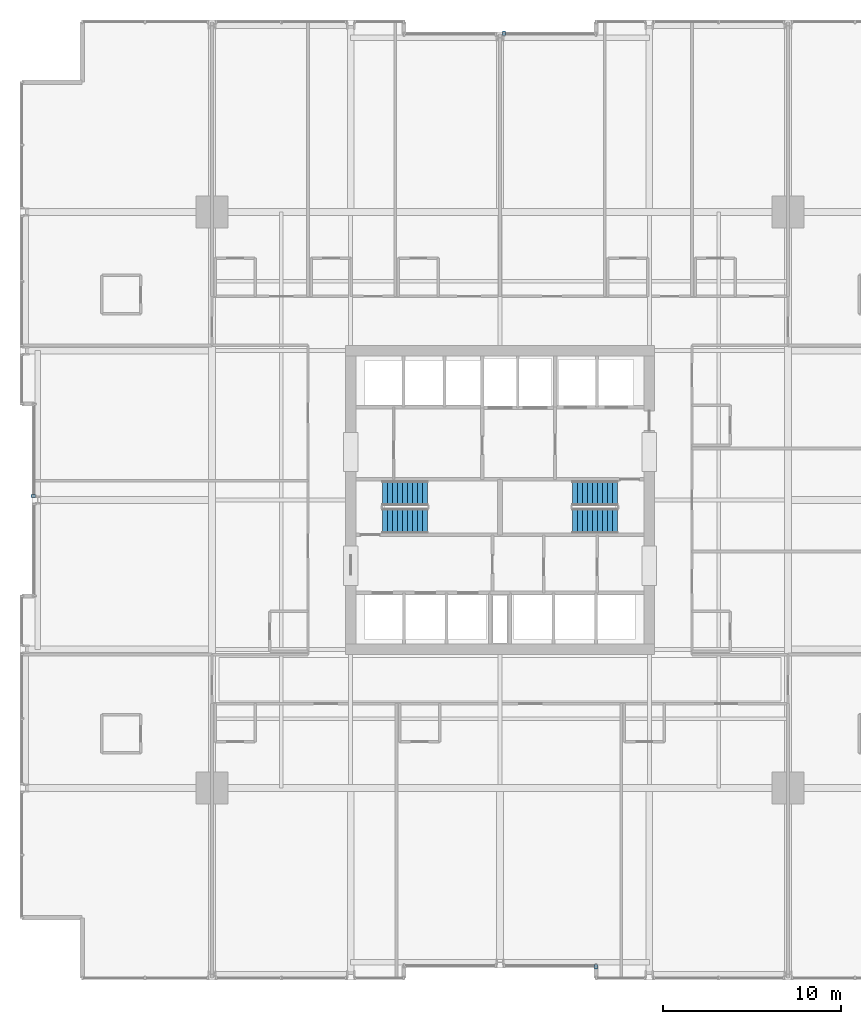
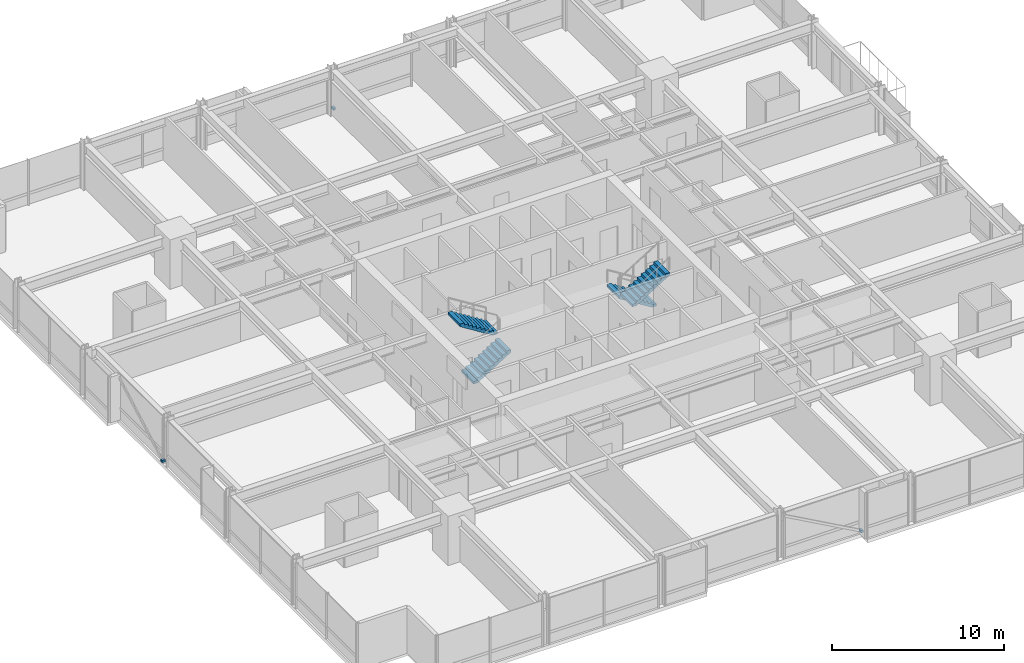
# One storey, part 34 of 38: 4 stair flights, 3 discrete accessories, 2 elements without a shape of their own.
"""IFC4 building model written with IfcOpenShell, lengths in metres."""

import ifcopenshell
import ifcopenshell.guid

model = None  # the IFC model being written
_history = None  # IfcOwnerHistory: only IFC2X3 demands one
_inside = {}  # id of a spatial element -> (the spatial element, [elements in it])
_under = {}  # id of a project, library or spatial element -> (it, [spatial elements below it])
_declared = {}  # id of a project -> (the project, [libraries it declares])
_typed = {}  # id of a type object -> (the type object, [elements of that type])
_made_of = {}  # id of a material, layer set ... -> (it, [elements and type objects made of it])


def new_model(schema):
    """Start an empty IFC model of exactly this schema.

    Asked for "IFC4X3", IfcOpenShell would pick the latest addendum, in which some entities
    have other attributes; the version numbers below select the first issue.
    IFC2X3 requires an IfcOwnerHistory on every rooted entity: one is made here for all.
    """
    global model, _history
    if schema == "IFC4X3":
        model = ifcopenshell.file(schema_version=(4, 3, 0, 0))
    else:
        model = ifcopenshell.file(schema=schema)
    _inside.clear()
    _under.clear()
    _declared.clear()
    _typed.clear()
    _made_of.clear()
    _history = None
    if model.schema == "IFC2X3":
        org = make("IfcOrganization", Name="unknown")
        user = make(
            "IfcPersonAndOrganization",
            ThePerson=make("IfcPerson", FamilyName="unknown"),
            TheOrganization=org,
        )
        app = make(
            "IfcApplication",
            ApplicationDeveloper=org,
            Version="unknown",
            ApplicationFullName="unknown",
            ApplicationIdentifier="unknown",
        )
        _history = make(
            "IfcOwnerHistory",
            OwningUser=user,
            OwningApplication=app,
            ChangeAction="ADDED",
            CreationDate=0,
        )
    return model


def make(cls, **values):
    """One entity of the class cls with the attributes given. An attribute that is None is left unset."""
    return model.create_entity(
        cls, **{name: value for name, value in values.items() if value is not None}
    )


def rooted(cls, **values):
    """An entity with a GlobalId (a new one), such as an element, a storey or a relation."""
    return make(cls, GlobalId=ifcopenshell.guid.new(), OwnerHistory=_history, **values)


def si_unit(unit_type, name, prefix=None):
    """IfcSIUnit, for example si_unit("LENGTHUNIT", "METRE", prefix="MILLI")."""
    return make("IfcSIUnit", UnitType=unit_type, Prefix=prefix, Name=name)


def assignment(units):
    """IfcUnitAssignment: the units of a project."""
    return None if units is None else make("IfcUnitAssignment", Units=units)


def point(xyz):
    """IfcCartesianPoint."""
    return None if xyz is None else make("IfcCartesianPoint", Coordinates=xyz)


def direction(xyz):
    """IfcDirection."""
    return None if xyz is None else make("IfcDirection", DirectionRatios=xyz)


def frame(location, z_axis=None, x_axis=None):
    """IfcAxis2Placement3D, a coordinate frame: its origin and axes. An axis left out is left unset."""
    return make(
        "IfcAxis2Placement3D",
        Location=point(location),
        Axis=direction(z_axis),
        RefDirection=direction(x_axis),
    )


def frame_2d(location, x_axis=None):
    """IfcAxis2Placement2D, a coordinate frame in the plane: its origin and x axis."""
    return make(
        "IfcAxis2Placement2D", Location=point(location), RefDirection=direction(x_axis)
    )


def origin():
    """The frame at (0, 0, 0) with its axes left unset."""
    return frame((0.0, 0.0, 0.0))


def origin_2d():
    """The frame at (0, 0) in the plane with its x axis left unset."""
    return frame_2d((0.0, 0.0))


def place(relative_to, where):
    """IfcLocalPlacement: puts the frame where relative to a parent placement (None: the world)."""
    return make(
        "IfcLocalPlacement", PlacementRelTo=relative_to, RelativePlacement=where
    )


def context(
    kind, dimensions, precision=None, world=None, true_north=None, identifier=None
):
    """IfcGeometricRepresentationContext, for example the 3D "Model" context."""
    return make(
        "IfcGeometricRepresentationContext",
        ContextIdentifier=identifier,
        ContextType=kind,
        CoordinateSpaceDimension=dimensions,
        Precision=precision,
        WorldCoordinateSystem=world,
        TrueNorth=true_north,
    )


def subcontext(parent, identifier, kind, view, scale=None):
    """IfcGeometricRepresentationSubContext, for example "Body" below "Model"."""
    return make(
        "IfcGeometricRepresentationSubContext",
        ContextIdentifier=identifier,
        ContextType=kind,
        ParentContext=parent,
        TargetScale=scale,
        TargetView=view,
    )


def project(units=None, contexts=None):
    """IfcProject with its units and contexts."""
    return rooted(
        "IfcProject",
        Name="project",
        RepresentationContexts=contexts,
        UnitsInContext=assignment(units),
    )


def spatial(cls, under=None, at=None, **own):
    """A site, building, storey or space (cls), placed at a placement, below another one or the project."""
    s = rooted(cls, ObjectPlacement=at, **own)
    if under is not None:
        _under.setdefault(under.id(), (under, []))[1].append(s)
    return s


def polyline(points):
    """IfcPolyline through the points."""
    return make("IfcPolyline", Points=[point(p) for p in points])


def profile(cls, at=None, kind="AREA", **sizes):
    """A parametric profile (cls). Its sizes go by their IFC names, for example OverallWidth=200.0."""
    return make(cls, ProfileType=kind, Position=at, **sizes)


def rectangle(**sizes):
    """IfcRectangleProfileDef."""
    return profile("IfcRectangleProfileDef", **sizes)


def outline(outer, holes=None, kind="AREA"):
    """IfcArbitraryClosedProfileDef: a profile drawn as a closed curve; with holes, ...WithVoids."""
    if holes is None:
        return make("IfcArbitraryClosedProfileDef", ProfileType=kind, OuterCurve=outer)
    return make(
        "IfcArbitraryProfileDefWithVoids",
        ProfileType=kind,
        OuterCurve=outer,
        InnerCurves=holes,
    )


def extrude(swept, where, along, depth):
    """IfcExtrudedAreaSolid: the profile swept, set in the frame where, extruded along a direction by depth."""
    return make(
        "IfcExtrudedAreaSolid",
        SweptArea=swept,
        Position=where,
        ExtrudedDirection=direction(along),
        Depth=depth,
    )


def shape(context_of_items, identifier, shape_type, items):
    """IfcShapeRepresentation: the items that make up one representation, for example the "Body"."""
    return make(
        "IfcShapeRepresentation",
        ContextOfItems=context_of_items,
        RepresentationIdentifier=identifier,
        RepresentationType=shape_type,
        Items=items,
    )


def material(Name=None, Category=None):
    """IfcMaterial."""
    return make("IfcMaterial", Name=Name, Category=Category)


def made_of(thing, what):
    """Note that an element or type object is made of a material, layer set ...; save() writes the relation."""
    if what is not None:
        _made_of.setdefault(what.id(), (what, []))[1].append(thing)
    return thing


def type_object(cls, material=None, **own):
    """A type object (cls), such as IfcWallType, which elements share."""
    return made_of(rooted(cls, **own), material)


def element(
    cls,
    number,
    at=None,
    inside=None,
    cuts=None,
    type_object=None,
    material=None,
    context=None,
    identifier="Body",
    shape_type=None,
    held_by="IfcProductDefinitionShape",
    body=None,
    shapes=None,
    **own,
):
    """One element of the class cls, such as IfcWall. Its Tag is "e" and its number.

    at: its placement. inside: the storey or other place that contains it. cuts: it is an
    opening in that element (IfcRelVoidsElement). A single representation is given by context,
    identifier, shape_type and body (its items); several are given by shapes. held_by: the class
    of the entity that holds the representations. save() writes the other relations.
    """
    e = rooted(cls, Tag="e%d" % number, ObjectPlacement=at, **own)
    if body is not None:
        shapes = [shape(context, identifier, shape_type, body)]
    if shapes is not None:
        e.Representation = make(held_by, Representations=shapes)
    if inside is not None:
        _inside.setdefault(inside.id(), (inside, []))[1].append(e)
    if cuts is not None:
        rooted(
            "IfcRelVoidsElement", RelatingBuildingElement=cuts, RelatedOpeningElement=e
        )
    if type_object is not None:
        _typed.setdefault(type_object.id(), (type_object, []))[1].append(e)
    return made_of(e, material)


def aggregate(whole, parts):
    """IfcRelAggregates: a whole, such as a stair, and the parts it consists of."""
    return rooted("IfcRelAggregates", RelatingObject=whole, RelatedObjects=parts)


def save(model, path):
    """Write the relations noted so far, then the file.

    IfcRelAggregates (storeys below a building ...), IfcRelContainedInSpatialStructure (elements
    in a storey), IfcRelDefinesByType, IfcRelAssociatesMaterial and IfcRelDeclares: one each for
    every whole, place, type object, material and project.
    """
    for whole, parts in _under.values():
        aggregate(whole, parts)
    for where, things in _inside.values():
        rooted(
            "IfcRelContainedInSpatialStructure",
            RelatedElements=things,
            RelatingStructure=where,
        )
    for kind, things in _typed.values():
        rooted("IfcRelDefinesByType", RelatedObjects=things, RelatingType=kind)
    for what, things in _made_of.values():
        rooted("IfcRelAssociatesMaterial", RelatedObjects=things, RelatingMaterial=what)
    for by, libraries in _declared.values():
        rooted("IfcRelDeclares", RelatingContext=by, RelatedDefinitions=libraries)
    model.write(path)


model = new_model("IFC4")

# Units and contexts
model_context = context("Model", 3, precision=1e-05, world=origin(), true_north=direction((0.0, 1.0)))
body_context = subcontext(model_context, "Body", "Model", "MODEL_VIEW")
ifc_project = project(units=[si_unit("LENGTHUNIT", "METRE"), si_unit("AREAUNIT", "SQUARE_METRE"), si_unit("VOLUMEUNIT", "CUBIC_METRE"), si_unit("PLANEANGLEUNIT", "RADIAN"), si_unit("MASSUNIT", "GRAM", prefix="KILO")], contexts=[model_context])

# Site, building, storey
site_placement = place(None, origin())
site = spatial("IfcSite", under=ifc_project, at=site_placement, CompositionType="ELEMENT")
building_placement = place(site_placement, origin())
building = spatial("IfcBuilding", under=site, at=building_placement, Name="Drelvath Grand Hotel", CompositionType="ELEMENT")
storey_placement = place(building_placement, frame((0.0, 0.0, 71.699951171875)))
storey = spatial("IfcBuildingStorey", under=building, at=storey_placement, Name="L17", CompositionType="ELEMENT", Elevation=71.699951171875)

# Stair, stair flights
ifc_material_1 = material(Name="Concrete C40/50", Category="concrete")
stair_type = type_object("IfcStairType", Name="Dogleg Exit Stair W1400-R175.0", PredefinedType="HALF_TURN_STAIR", material=ifc_material_1)
stair_1_placement = place(storey_placement, origin())
stair_1 = element("IfcStair", 1, at=stair_1_placement, inside=storey, type_object=stair_type, Name="L17 Core Exit Stair ST-1", PredefinedType="HALF_TURN_STAIR")
stair_flight_type = type_object("IfcStairFlightType", Name="Concrete Stair Flight W1400-R175.0", PredefinedType="STRAIGHT", material=ifc_material_1)
stair_flight_1_placement = place(storey_placement, frame((-6.60009765625, 25.820068359375, 0.0), z_axis=(0.0, 0.0, 1.0), x_axis=(1.0, 0.0, 0.0)))
stair_flight_1 = element("IfcStairFlight", 2, at=stair_flight_1_placement, type_object=stair_flight_type, Name="ST-1 flight 1", NumberOfRisers=10, NumberOfTreads=9, PredefinedType="STRAIGHT", RiserHeight=0.175, TreadLength=0.28, context=body_context, shape_type="SweptSolid", body=[
    extrude(outline(polyline([(0.0, 0.0), (0.0, 0.175048828125), (0.280029296875, 0.175048828125), (0.280029296875, 0.35009765625), (0.56005859375, 0.35009765625), (0.56005859375, 0.52490234375), (0.840087890625, 0.52490234375), (0.840087890625, 0.699951171875), (1.1201171875, 0.699951171875), (1.1201171875, 0.875), (1.39990234375, 0.875), (1.39990234375, 1.050048828125), (1.679931640625, 1.050048828125), (1.679931640625, 1.22509765625), (1.9599609375, 1.22509765625), (1.9599609375, 1.39990234375), (2.239990234375, 1.39990234375), (2.239990234375, 1.574951171875), (2.52001953125, 1.574951171875), (2.52001953125, 1.75), (2.52001953125, 1.386474609375), (0.3017578125, 0.0), (0.0, 0.0)])), frame((0.0, 0.699951171875, 0.0), z_axis=(0.0, -1.0, 0.0), x_axis=(1.0, 0.0, 0.0)), (0.0, 0.0, 1.0), 1.39990234375),
])
stair_flight_2_placement = place(storey_placement, frame((-4.080078125, 27.3798828125, 1.75), z_axis=(0.0, 0.0, 1.0), x_axis=(-1.0, 0.0, 0.0)))
stair_flight_2 = element("IfcStairFlight", 3, at=stair_flight_2_placement, type_object=stair_flight_type, Name="ST-1 flight 2", NumberOfRisers=10, NumberOfTreads=9, PredefinedType="STRAIGHT", RiserHeight=0.175, TreadLength=0.28, context=body_context, shape_type="SweptSolid", body=[
    extrude(outline(polyline([(0.0, 0.0), (0.0, 0.175048828125), (0.280029296875, 0.175048828125), (0.280029296875, 0.35009765625), (0.56005859375, 0.35009765625), (0.56005859375, 0.52490234375), (0.840087890625, 0.52490234375), (0.840087890625, 0.699951171875), (1.1201171875, 0.699951171875), (1.1201171875, 0.875), (1.39990234375, 0.875), (1.39990234375, 1.050048828125), (1.679931640625, 1.050048828125), (1.679931640625, 1.22509765625), (1.9599609375, 1.22509765625), (1.9599609375, 1.39990234375), (2.239990234375, 1.39990234375), (2.239990234375, 1.574951171875), (2.52001953125, 1.574951171875), (2.52001953125, 1.75), (2.52001953125, 1.386474609375), (0.3017578125, 0.0), (0.0, 0.0)])), frame((0.0, 0.699951171875, 0.0), z_axis=(0.0, -1.0, 0.0), x_axis=(1.0, 0.0, 0.0)), (0.0, 0.0, 1.0), 1.39990234375),
])
aggregate(stair_1, [stair_flight_1, stair_flight_2])

stair_2_placement = place(storey_placement, origin())
stair_2 = element("IfcStair", 4, at=stair_2_placement, inside=storey, type_object=stair_type, Name="L17 Core Exit Stair ST-2", PredefinedType="HALF_TURN_STAIR")
stair_flight_3_placement = place(storey_placement, frame((6.60009765625, 27.3798828125, 0.0), z_axis=(0.0, 0.0, 1.0), x_axis=(-1.0, 0.0, 0.0)))
stair_flight_3 = element("IfcStairFlight", 5, at=stair_flight_3_placement, type_object=stair_flight_type, Name="ST-2 flight 1", NumberOfRisers=10, NumberOfTreads=9, PredefinedType="STRAIGHT", RiserHeight=0.175, TreadLength=0.28, context=body_context, shape_type="SweptSolid", body=[
    extrude(outline(polyline([(0.0, 0.0), (0.0, 0.175048828125), (0.280029296875, 0.175048828125), (0.280029296875, 0.35009765625), (0.56005859375, 0.35009765625), (0.56005859375, 0.52490234375), (0.840087890625, 0.52490234375), (0.840087890625, 0.699951171875), (1.1201171875, 0.699951171875), (1.1201171875, 0.875), (1.39990234375, 0.875), (1.39990234375, 1.050048828125), (1.679931640625, 1.050048828125), (1.679931640625, 1.22509765625), (1.9599609375, 1.22509765625), (1.9599609375, 1.39990234375), (2.239990234375, 1.39990234375), (2.239990234375, 1.574951171875), (2.52001953125, 1.574951171875), (2.52001953125, 1.75), (2.52001953125, 1.386474609375), (0.3017578125, 0.0), (0.0, 0.0)])), frame((0.0, 0.699951171875, 0.0), z_axis=(0.0, -1.0, 0.0), x_axis=(1.0, 0.0, 0.0)), (0.0, 0.0, 1.0), 1.39990234375),
])
stair_flight_4_placement = place(storey_placement, frame((4.080078125, 25.820068359375, 1.75), z_axis=(0.0, 0.0, 1.0), x_axis=(1.0, 0.0, 0.0)))
stair_flight_4 = element("IfcStairFlight", 6, at=stair_flight_4_placement, type_object=stair_flight_type, Name="ST-2 flight 2", NumberOfRisers=10, NumberOfTreads=9, PredefinedType="STRAIGHT", RiserHeight=0.175, TreadLength=0.28, context=body_context, shape_type="SweptSolid", body=[
    extrude(outline(polyline([(0.0, 0.0), (0.0, 0.175048828125), (0.280029296875, 0.175048828125), (0.280029296875, 0.35009765625), (0.56005859375, 0.35009765625), (0.56005859375, 0.52490234375), (0.840087890625, 0.52490234375), (0.840087890625, 0.699951171875), (1.1201171875, 0.699951171875), (1.1201171875, 0.875), (1.39990234375, 0.875), (1.39990234375, 1.050048828125), (1.679931640625, 1.050048828125), (1.679931640625, 1.22509765625), (1.9599609375, 1.22509765625), (1.9599609375, 1.39990234375), (2.239990234375, 1.39990234375), (2.239990234375, 1.574951171875), (2.52001953125, 1.574951171875), (2.52001953125, 1.75), (2.52001953125, 1.386474609375), (0.3017578125, 0.0), (0.0, 0.0)])), frame((0.0, 0.699951171875, 0.0), z_axis=(0.0, -1.0, 0.0), x_axis=(1.0, 0.0, 0.0)), (0.0, 0.0, 1.0), 1.39990234375),
])
aggregate(stair_2, [stair_flight_3, stair_flight_4])

# Discrete accessories
ifc_material_2 = material(Name="Stainless Steel Grade 316", Category="steel")
discrete_accessory_type = type_object("IfcDiscreteAccessoryType", Name="Curtain Wall Fin Mounting Bracket Cleat", PredefinedType="BRACKET", material=ifc_material_2)
for number, where, z_axis, x_axis, name in (
    (7, (-26.260009765625, 27.22900390625, 0.10009765625), (0.0, 0.0, 1.0), (0.0, 1.0, 0.0), "L17 Fin Mounting Bracket CW02-L17-WM2-1"),
    (8, (0.22900390625, 53.260009765625, 0.10009765625), (0.0, 0.0, 1.0), (1.0, 0.0, 0.0), "L17 Fin Mounting Bracket CW02-L17-NM2-1"),
    (9, (5.39990234375, 0.739990234375, 0.10009765625), (0.0, 0.0, 1.0), (-1.0, 0.0, 0.0), "L17 Fin Mounting Bracket CW02-L17-SM2-1"),
):
    element("IfcDiscreteAccessory", number, at=place(storey_placement, frame(where, z_axis=z_axis, x_axis=x_axis)), inside=storey, type_object=discrete_accessory_type, Name=name, PredefinedType="BRACKET", context=body_context, shape_type="SweptSolid", body=[
        extrude(rectangle(XDim=0.159912109375, YDim=0.239990234375, at=origin_2d()), origin(), (0.0, 0.0, 1.0), 0.159912109375),
    ])

save(model, "model.ifc")
